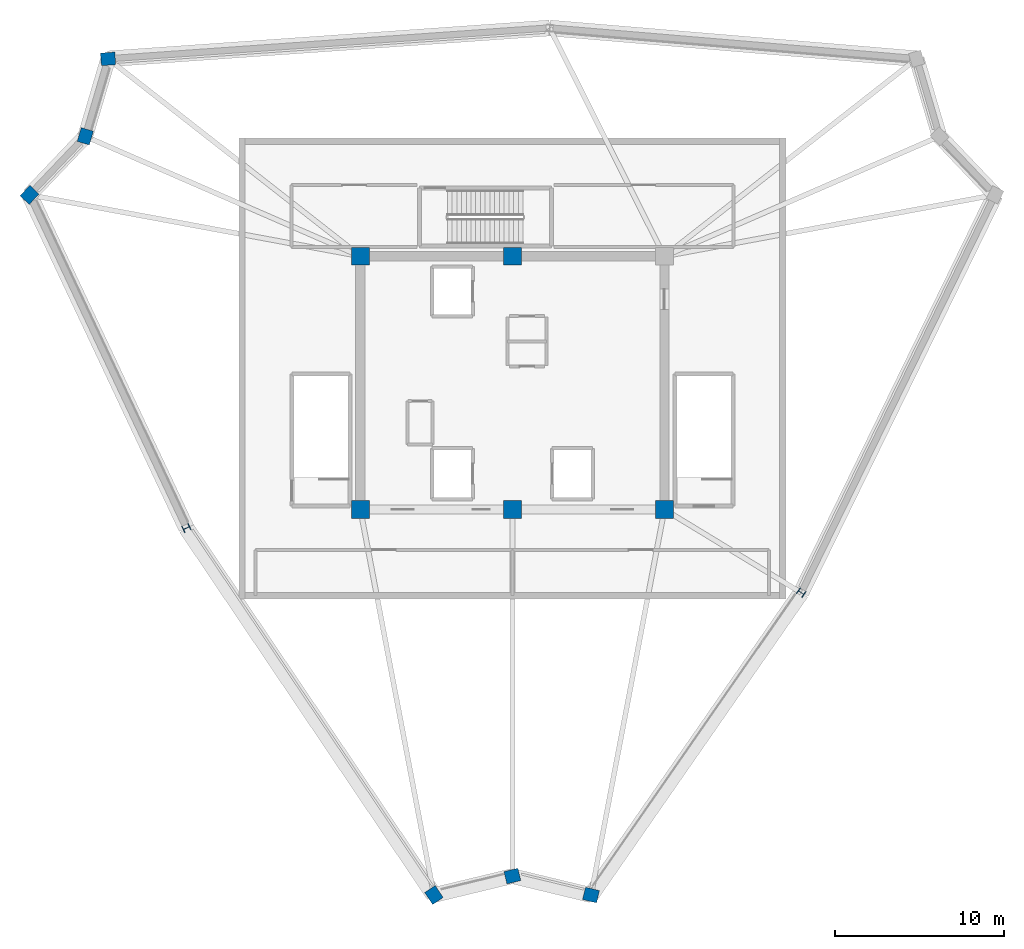
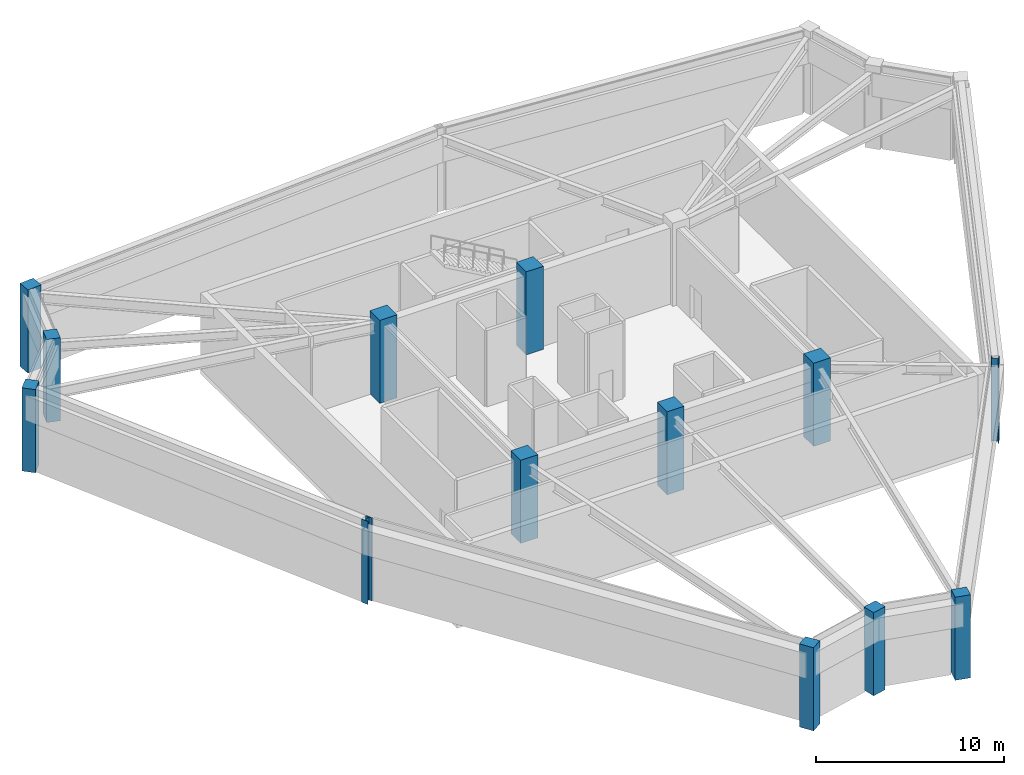
# One storey, part 1 of 6: 13 columns.
"""IFC4 building model written with IfcOpenShell, lengths in metres."""

from ifc_helpers import new_model, si_unit, direction, frame, origin, origin_2d, place, context, subcontext, project, spatial, rectangle, i_section, extrude, source, transform, mapped, material, material_profile, profile_set, type_object, element, save


model = new_model("IFC4")

# Units and contexts
model_context = context("Model", 3, precision=1e-05, world=origin(), true_north=direction((0.0, 1.0)))
body_context = subcontext(model_context, "Body", "Model", "MODEL_VIEW")
ifc_project = project(units=[si_unit("LENGTHUNIT", "METRE"), si_unit("AREAUNIT", "SQUARE_METRE"), si_unit("VOLUMEUNIT", "CUBIC_METRE"), si_unit("PLANEANGLEUNIT", "RADIAN"), si_unit("MASSUNIT", "GRAM", prefix="KILO")], contexts=[model_context])

# Site, building, storey
site_placement = place(None, origin())
site = spatial("IfcSite", under=ifc_project, at=site_placement, CompositionType="ELEMENT")
building_placement = place(site_placement, origin())
building = spatial("IfcBuilding", under=site, at=building_placement, Name="Liaohun Quay Tower", CompositionType="ELEMENT")
storey_placement = place(building_placement, frame((0.0, 0.0, 366.0)))
storey = spatial("IfcBuildingStorey", under=building, at=storey_placement, Name="L94", CompositionType="ELEMENT", Elevation=366.0)

# Columns
ifc_material_1 = material(Name="Concrete C50", Category="concrete")
ifc_material_profile_1 = material_profile(ifc_material_1, rectangle(XDim=1.050048828125, YDim=1.050048828125, at=origin_2d()), Name="RC1050x1050")
ifc_profile_set_1 = profile_set([ifc_material_profile_1], Name="Concrete C50")
column_type_1 = type_object("IfcColumnType", Name="COL-CC-CR", PredefinedType="COLUMN", material=ifc_profile_set_1)
shared_shape_1 = source(origin(), body_context, "Body", "SweptSolid", [
    extrude(rectangle(XDim=1.050048828125, YDim=1.050048828125, at=origin_2d()), origin(), (0.0, 0.0, 1.0), 5.39990234375),
])
for number, where, z_axis, x_axis, name in (
    (1, (51.0, 46.5, 0.0), (0.0, 0.0, 1.0), (1.0, 0.0, 0.0), "L94 Core Column CC1"),
    (2, (60.0, 46.5, 0.0), (0.0, 0.0, 1.0), (1.0, 0.0, 0.0), "L94 Core Column CC2"),
    (3, (69.0, 46.5, 0.0), (0.0, 0.0, 1.0), (1.0, 0.0, 0.0), "L94 Core Column CC3"),
    (4, (60.0, 61.5, 0.0), (0.0, 0.0, 1.0), (1.0, 0.0, 0.0), "L94 Core Column CC5"),
    (5, (51.0, 61.5, 0.0), (0.0, 0.0, 1.0), (1.0, 0.0, 0.0), "L94 Core Column CC6"),
):
    element("IfcColumn", number, at=place(storey_placement, frame(where, z_axis=z_axis, x_axis=x_axis)), inside=storey, type_object=column_type_1, Name=name, PredefinedType="COLUMN", context=body_context, shape_type="MappedRepresentation", body=[
        mapped(shared_shape_1, transform((0.0, 0.0, 0.0), x_axis=(1.0, 0.0, 0.0), y_axis=(0.0, 1.0, 0.0), z_axis=(0.0, 0.0, 1.0), scale=1.0)),
    ])
ifc_material_profile_2 = material_profile(ifc_material_1, rectangle(XDim=0.85009765625, YDim=0.75, at=origin_2d()), Name="RC850x750")
ifc_profile_set_2 = profile_set([ifc_material_profile_2], Name="Concrete C50")
column_type_2 = type_object("IfcColumnType", Name="COL-PIER-CR", PredefinedType="COLUMN", material=ifc_profile_set_2)
shared_shape_2 = source(origin(), body_context, "Body", "SweptSolid", [
    extrude(rectangle(XDim=0.85009765625, YDim=0.75, at=origin_2d()), origin(), (0.0, 0.0, 1.0), 5.39990234375),
])
for number, where, z_axis, x_axis, name in (
    (6, (55.35400390625, 23.677978515625, 0.0), (0.0, 0.0, 1.0), (-0.559192903471, 0.829037572555, 0.0), "L94 Perimeter Pier PC01"),
    (7, (31.410888671875, 65.131103515625, 0.0), (0.0, 0.0, 1.0), (0.68936671806, 0.724412539946, 0.0), "L94 Perimeter Pier PC03"),
    (8, (34.7119140625, 68.60009765625, 0.0), (0.0, 0.0, 1.0), (0.282676303383, 0.959215360337, 0.0), "L94 Perimeter Pier PC04"),
    (9, (36.06298828125, 73.18505859375, 0.0), (0.0, 0.0, 1.0), (0.99756405026, 0.069756473744, 0.0), "L94 Perimeter Pier PC05"),
    (10, (64.655029296875, 23.676025390625, 0.0), (0.0, 0.0, 1.0), (-0.972083987461, 0.234633163303, 0.0), "L94 Perimeter Pier PC11"),
    (11, (60.0, 24.799072265625, 0.0), (0.0, 0.0, 1.0), (0.972083987461, 0.234633163303, 0.0), "L94 Perimeter Pier PC12"),
):
    element("IfcColumn", number, at=place(storey_placement, frame(where, z_axis=z_axis, x_axis=x_axis)), inside=storey, type_object=column_type_2, Name=name, PredefinedType="COLUMN", context=body_context, shape_type="MappedRepresentation", body=[
        mapped(shared_shape_2, transform((0.0, 0.0, 0.0), x_axis=(1.0, 0.0, 0.0), y_axis=(0.0, 1.0, 0.0), z_axis=(0.0, 0.0, 1.0), scale=1.0)),
    ])
ifc_material_2 = material(Name="Steel Q420D", Category="steel")
ifc_material_profile_3 = material_profile(ifc_material_2, i_section(OverallWidth=0.406982421875, OverallDepth=0.427978515625, WebThickness=0.02001953125, FlangeThickness=0.034912109375, at=origin_2d()), Name="HW428x407x20x35")
ifc_profile_set_3 = profile_set([ifc_material_profile_3], Name="Steel Q420D")
column_type_3 = type_object("IfcColumnType", Name="COL-STL-CR1", PredefinedType="COLUMN", material=ifc_profile_set_3)
shared_shape_3 = source(origin(), body_context, "Body", "SweptSolid", [
    extrude(i_section(OverallWidth=0.406982421875, OverallDepth=0.427978515625, WebThickness=0.02001953125, FlangeThickness=0.034912109375, at=origin_2d()), origin(), (0.0, 0.0, 1.0), 5.39990234375),
])
for number, where, z_axis, x_axis, name in (
    (12, (40.698974609375, 45.405029296875, 0.0), (0.0, 0.0, 1.0), (-0.425937207192, 0.90475272618, 0.0), "L94 Perimeter Pier PC02"),
    (13, (77.094970703125, 41.58203125, 0.0), (0.0, 0.0, 1.0), (0.570570241419, 0.821248804935, 0.0), "L94 Perimeter Pier PC10"),
):
    element("IfcColumn", number, at=place(storey_placement, frame(where, z_axis=z_axis, x_axis=x_axis)), inside=storey, type_object=column_type_3, Name=name, PredefinedType="COLUMN", context=body_context, shape_type="MappedRepresentation", body=[
        mapped(shared_shape_3, transform((0.0, 0.0, 0.0), x_axis=(1.0, 0.0, 0.0), y_axis=(0.0, 1.0, 0.0), z_axis=(0.0, 0.0, 1.0), scale=1.0)),
    ])

save(model, "model.ifc")
